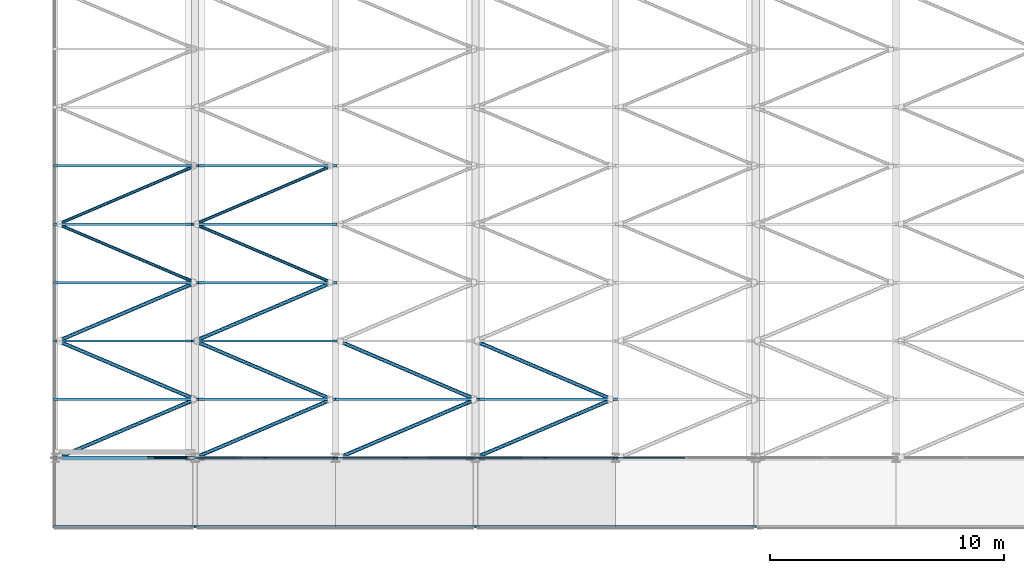
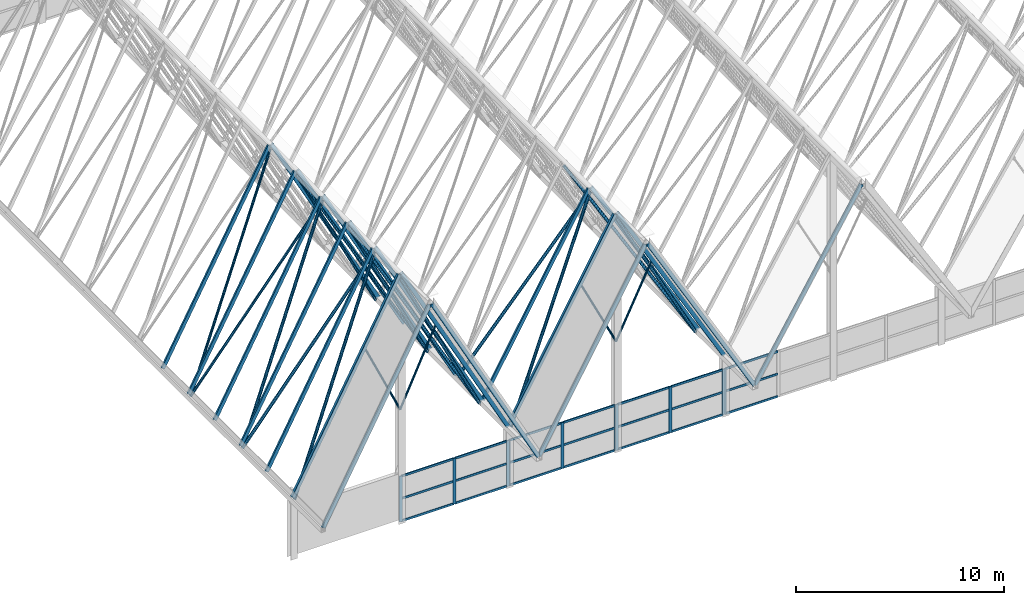
# One storey, part 13 of 483: 61 members, 9 beams, 4 elements without a shape of their own.
"""IFC4 building model written with IfcOpenShell, lengths in metres."""

from ifc_helpers import new_model, si_unit, direction, frame, origin, origin_2d, place, context, subcontext, project, spatial, rectangle, hollow_rectangle, hollow_circle, extrude, material, material_profile, profile_set, type_object, element, aggregate, save


model = new_model("IFC4")

# Units and contexts
model_context = context("Model", 3, precision=1e-05, world=origin(), true_north=direction((0.0, 1.0)))
body_context = subcontext(model_context, "Body", "Model", "MODEL_VIEW")
ifc_project = project(units=[si_unit("LENGTHUNIT", "METRE"), si_unit("AREAUNIT", "SQUARE_METRE"), si_unit("VOLUMEUNIT", "CUBIC_METRE"), si_unit("PLANEANGLEUNIT", "RADIAN"), si_unit("MASSUNIT", "GRAM", prefix="KILO")], contexts=[model_context])

# Site, building, storey
site_placement = place(None, origin())
site = spatial("IfcSite", under=ifc_project, at=site_placement, CompositionType="ELEMENT")
building_placement = place(site_placement, origin())
building = spatial("IfcBuilding", under=site, at=building_placement, Name="Parallax Yard Mobility Hub", CompositionType="ELEMENT")
storey_placement = place(building_placement, frame((0.0, 0.0, 13.199951171875)))
storey = spatial("IfcBuildingStorey", under=building, at=storey_placement, Name="L04", CompositionType="ELEMENT", Elevation=13.199951171875)

# Members
ifc_material_1 = material(Name="Steel ASTM A500 Gr C", Category="steel")
ifc_material_profile_1 = material_profile(ifc_material_1, hollow_circle(Radius=0.05712890625, WallThickness=0.006103515625, at=origin_2d()), Name="HSS114.3x6.0")
ifc_profile_set_1 = profile_set([ifc_material_profile_1], Name="Steel ASTM A500 Gr C")
member_type_1 = type_object("IfcMemberType", Name="Knee brace HSS114.3x6.0", PredefinedType="BRACE", material=ifc_profile_set_1)
for number, where, z_axis, x_axis, name in (
    (1, (15.0, 7.5, 6.60009765625), (-0.41704909063, 0.0, 0.908883961793), (0.0, -1.0, 0.0), "Gable knee brace F2 south west"),
    (2, (15.0, 7.5, 6.60009765625), (0.41704909063, 0.0, 0.908883961793), (0.0, 1.0, 0.0), "Gable knee brace F2 south east"),
):
    element("IfcMember", number, at=place(storey_placement, frame(where, z_axis=z_axis, x_axis=x_axis)), inside=storey, type_object=member_type_1, Name=name, PredefinedType="BRACE", context=body_context, shape_type="SweptSolid", body=[
        extrude(hollow_circle(Radius=0.05712890625, WallThickness=0.006103515625, at=origin_2d()), origin(), (0.0, 0.0, 1.0), 4.795654296875),
    ])
for number, where, z_axis, x_axis, name in (
    (3, (27.0, 7.5, 6.39990234375), (-0.437594130346, 0.0, 0.899172606948), (0.0, -1.0, 0.0), "Gable knee brace F4 south west"),
    (4, (27.0, 7.5, 6.39990234375), (0.437594130346, 0.0, 0.899172606948), (0.0, 1.0, 0.0), "Gable knee brace F4 south east"),
):
    element("IfcMember", number, at=place(storey_placement, frame(where, z_axis=z_axis, x_axis=x_axis)), inside=storey, type_object=member_type_1, Name=name, PredefinedType="BRACE", context=body_context, shape_type="SweptSolid", body=[
        extrude(hollow_circle(Radius=0.05712890625, WallThickness=0.006103515625, at=origin_2d()), origin(), (0.0, 0.0, 1.0), 4.570556640625),
    ])

# Curtain wall, members
ifc_material_2 = material(Name="Thermally broken aluminium curtain wall system", Category="aluminium")
curtain_wall_type = type_object("IfcCurtainWallType", Name="Curtain wall run 60 x 160 frame", PredefinedType="NOTDEFINED", material=ifc_material_2)
curtain_wall_1_placement = place(storey_placement, origin())
curtain_wall_1 = element("IfcCurtainWall", 5, at=curtain_wall_1_placement, inside=storey, type_object=curtain_wall_type, Name="Glazed gable end Bus and taxi deck south gable bay 2 level L04", PredefinedType="NOTDEFINED")
ifc_material_3 = material(Name="Extruded aluminium", Category="aluminium")
ifc_material_profile_2 = material_profile(ifc_material_3, rectangle(XDim=0.06005859375, YDim=0.159912109375, at=origin_2d()), Name="Mullion 60 x 160")
ifc_profile_set_2 = profile_set([ifc_material_profile_2], Name="Extruded aluminium")
member_type_2 = type_object("IfcMemberType", Name="Mullion 60 x 160", PredefinedType="MULLION", material=ifc_profile_set_2)
member_1_placement = place(storey_placement, frame((15.030029296875, 7.5, 0.0), z_axis=(0.0, 0.0, 1.0), x_axis=(0.0, 1.0, 0.0)))
member_1 = element("IfcMember", 6, at=member_1_placement, type_object=member_type_2, Name="CW1 mullion 1", PredefinedType="MULLION", context=body_context, shape_type="SweptSolid", body=[
    extrude(rectangle(XDim=0.06005859375, YDim=0.159912109375, at=origin_2d()), origin(), (0.0, 0.0, 1.0), 2.68994140625),
])
member_2_placement = place(storey_placement, frame((18.0, 7.5, 0.0), z_axis=(0.0, 0.0, 1.0), x_axis=(0.0, 1.0, 0.0)))
member_2 = element("IfcMember", 7, at=member_2_placement, type_object=member_type_2, Name="CW1 mullion 2", PredefinedType="MULLION", context=body_context, shape_type="SweptSolid", body=[
    extrude(rectangle(XDim=0.06005859375, YDim=0.159912109375, at=origin_2d()), origin(), (0.0, 0.0, 1.0), 2.68994140625),
])
member_3_placement = place(storey_placement, frame((20.969970703125, 7.5, 0.0), z_axis=(0.0, 0.0, 1.0), x_axis=(0.0, 1.0, 0.0)))
member_3 = element("IfcMember", 8, at=member_3_placement, type_object=member_type_2, Name="CW1 mullion 3", PredefinedType="MULLION", context=body_context, shape_type="SweptSolid", body=[
    extrude(rectangle(XDim=0.06005859375, YDim=0.159912109375, at=origin_2d()), origin(), (0.0, 0.0, 1.0), 2.68994140625),
])

curtain_wall_2_placement = place(storey_placement, origin())
curtain_wall_2 = element("IfcCurtainWall", 9, at=curtain_wall_2_placement, inside=storey, type_object=curtain_wall_type, Name="Glazed gable end Bus and taxi deck south gable bay 3 level L04", PredefinedType="NOTDEFINED")
member_4_placement = place(storey_placement, frame((21.030029296875, 7.5, 0.0), z_axis=(0.0, 0.0, 1.0), x_axis=(0.0, 1.0, 0.0)))
member_4 = element("IfcMember", 10, at=member_4_placement, type_object=member_type_2, Name="CW1 mullion 1", PredefinedType="MULLION", context=body_context, shape_type="SweptSolid", body=[
    extrude(rectangle(XDim=0.06005859375, YDim=0.159912109375, at=origin_2d()), origin(), (0.0, 0.0, 1.0), 2.68994140625),
])
member_5_placement = place(storey_placement, frame((24.0, 7.5, 0.0), z_axis=(0.0, 0.0, 1.0), x_axis=(0.0, 1.0, 0.0)))
member_5 = element("IfcMember", 11, at=member_5_placement, type_object=member_type_2, Name="CW1 mullion 2", PredefinedType="MULLION", context=body_context, shape_type="SweptSolid", body=[
    extrude(rectangle(XDim=0.06005859375, YDim=0.159912109375, at=origin_2d()), origin(), (0.0, 0.0, 1.0), 2.68994140625),
])
member_6_placement = place(storey_placement, frame((26.969970703125, 7.5, 0.0), z_axis=(0.0, 0.0, 1.0), x_axis=(0.0, 1.0, 0.0)))
member_6 = element("IfcMember", 12, at=member_6_placement, type_object=member_type_2, Name="CW1 mullion 3", PredefinedType="MULLION", context=body_context, shape_type="SweptSolid", body=[
    extrude(rectangle(XDim=0.06005859375, YDim=0.159912109375, at=origin_2d()), origin(), (0.0, 0.0, 1.0), 2.68994140625),
])

curtain_wall_3_placement = place(storey_placement, origin())
curtain_wall_3 = element("IfcCurtainWall", 13, at=curtain_wall_3_placement, inside=storey, type_object=curtain_wall_type, Name="Glazed gable end Bus and taxi deck south gable bay 4 level L04", PredefinedType="NOTDEFINED")
member_7_placement = place(storey_placement, frame((27.030029296875, 7.5, 0.0), z_axis=(0.0, 0.0, 1.0), x_axis=(0.0, 1.0, 0.0)))
member_7 = element("IfcMember", 14, at=member_7_placement, type_object=member_type_2, Name="CW1 mullion 1", PredefinedType="MULLION", context=body_context, shape_type="SweptSolid", body=[
    extrude(rectangle(XDim=0.06005859375, YDim=0.159912109375, at=origin_2d()), origin(), (0.0, 0.0, 1.0), 2.68994140625),
])
member_8_placement = place(storey_placement, frame((30.0, 7.5, 0.0), z_axis=(0.0, 0.0, 1.0), x_axis=(0.0, 1.0, 0.0)))
member_8 = element("IfcMember", 15, at=member_8_placement, type_object=member_type_2, Name="CW1 mullion 2", PredefinedType="MULLION", context=body_context, shape_type="SweptSolid", body=[
    extrude(rectangle(XDim=0.06005859375, YDim=0.159912109375, at=origin_2d()), origin(), (0.0, 0.0, 1.0), 2.68994140625),
])
member_9_placement = place(storey_placement, frame((32.969970703125, 7.5, 0.0), z_axis=(0.0, 0.0, 1.0), x_axis=(0.0, 1.0, 0.0)))
member_9 = element("IfcMember", 16, at=member_9_placement, type_object=member_type_2, Name="CW1 mullion 3", PredefinedType="MULLION", context=body_context, shape_type="SweptSolid", body=[
    extrude(rectangle(XDim=0.06005859375, YDim=0.159912109375, at=origin_2d()), origin(), (0.0, 0.0, 1.0), 2.68994140625),
])

# Curtain wall, member
curtain_wall_4_placement = place(storey_placement, origin())
curtain_wall_4 = element("IfcCurtainWall", 17, at=curtain_wall_4_placement, inside=storey, type_object=curtain_wall_type, Name="Glazed gable end Bus and taxi deck south gable bay 5 level L04", PredefinedType="NOTDEFINED")
member_10_placement = place(storey_placement, frame((33.030029296875, 7.5, 0.0), z_axis=(0.0, 0.0, 1.0), x_axis=(0.0, 1.0, 0.0)))
member_10 = element("IfcMember", 18, at=member_10_placement, type_object=member_type_2, Name="CW1 mullion 1", PredefinedType="MULLION", context=body_context, shape_type="SweptSolid", body=[
    extrude(rectangle(XDim=0.06005859375, YDim=0.159912109375, at=origin_2d()), origin(), (0.0, 0.0, 1.0), 2.68994140625),
])

# Members
ifc_material_profile_3 = material_profile(ifc_material_1, hollow_circle(Radius=0.06982421875, WallThickness=0.00634765625, at=origin_2d()), Name="HSS139.7x6.4")
ifc_profile_set_3 = profile_set([ifc_material_profile_3], Name="Steel ASTM A500 Gr C")
member_type_3 = type_object("IfcMemberType", Name="Plate diagonal HSS139.7x6.4", PredefinedType="BRACE", material=ifc_profile_set_3)
member_11_placement = place(storey_placement, frame((15.0, 15.0, 14.328857421875), z_axis=(-0.462980370369, 0.19707844166, -0.864181268303), x_axis=(-0.391665406317, -0.920107716246, 0.0)))
element("IfcMember", 19, at=member_11_placement, inside=storey, type_object=member_type_3, Name="Plate diagonal plate F1-F2 bay 4", PredefinedType="BRACE", context=body_context, shape_type="SweptSolid", body=[
    extrude(hollow_circle(Radius=0.06982421875, WallThickness=0.00634765625, at=origin_2d()), origin(), (0.0, 0.0, 1.0), 12.685302734375),
])
member_12_placement = place(storey_placement, frame((20.84765625, 15.0, 3.413818359375), z_axis=(-0.462901196047, 0.197900310935, 0.864035849736), x_axis=(-0.393103707527, -0.919494140888, 0.0)))
element("IfcMember", 20, at=member_12_placement, inside=storey, type_object=member_type_3, Name="Plate diagonal plate F2-F3 bay 4", PredefinedType="BRACE", context=body_context, shape_type="SweptSolid", body=[
    extrude(hollow_circle(Radius=0.06982421875, WallThickness=0.00634765625, at=origin_2d()), origin(), (0.0, 0.0, 1.0), 12.632568359375),
])
member_13_placement = place(storey_placement, frame((9.126953125, 17.5, 3.366455078125), z_axis=(0.462980370369, 0.19707844166, 0.864181268303), x_axis=(-0.391665406317, 0.920107716246, 0.0)))
element("IfcMember", 21, at=member_13_placement, inside=storey, type_object=member_type_3, Name="Plate diagonal plate F1-F2 bay 5", PredefinedType="BRACE", context=body_context, shape_type="SweptSolid", body=[
    extrude(hollow_circle(Radius=0.06982421875, WallThickness=0.00634765625, at=origin_2d()), origin(), (0.0, 0.0, 1.0), 12.685302734375),
])
member_14_placement = place(storey_placement, frame((15.0, 17.5, 14.328857421875), z_axis=(0.462901196047, 0.197900310935, -0.864035849736), x_axis=(-0.393103707527, 0.919494140888, 0.0)))
element("IfcMember", 22, at=member_14_placement, inside=storey, type_object=member_type_3, Name="Plate diagonal plate F2-F3 bay 5", PredefinedType="BRACE", context=body_context, shape_type="SweptSolid", body=[
    extrude(hollow_circle(Radius=0.06982421875, WallThickness=0.00634765625, at=origin_2d()), origin(), (0.0, 0.0, 1.0), 12.632568359375),
])
ifc_material_profile_4 = material_profile(ifc_material_1, hollow_circle(Radius=0.084228515625, WallThickness=0.007080078125, at=origin_2d()), Name="HSS168.3x7.1")
ifc_profile_set_4 = profile_set([ifc_material_profile_4], Name="Steel ASTM A500 Gr C")
member_type_4 = type_object("IfcMemberType", Name="Plate diagonal HSS168.3x7.1", PredefinedType="BRACE", material=ifc_profile_set_4)
member_15_placement = place(storey_placement, frame((27.0, 7.5, 13.671630859375), z_axis=(0.484498667157, 0.207133698718, -0.849915685452), x_axis=(-0.393103707527, 0.919494140888, 0.0)))
element("IfcMember", 23, at=member_15_placement, inside=storey, type_object=member_type_4, Name="Plate diagonal plate F4-F5 bay 1", PredefinedType="BRACE", context=body_context, shape_type="SweptSolid", body=[
    extrude(hollow_circle(Radius=0.084228515625, WallThickness=0.007080078125, at=origin_2d()), origin(), (0.0, 0.0, 1.0), 12.069580078125),
])
member_16_placement = place(storey_placement, frame((9.126953125, 7.5, 3.366455078125), z_axis=(0.462980370369, 0.19707844166, 0.864181268303), x_axis=(-0.391665406317, 0.920107716246, 0.0)))
element("IfcMember", 24, at=member_16_placement, inside=storey, type_object=member_type_4, Name="Plate diagonal plate F1-F2 bay 1", PredefinedType="BRACE", context=body_context, shape_type="SweptSolid", body=[
    extrude(hollow_circle(Radius=0.084228515625, WallThickness=0.007080078125, at=origin_2d()), origin(), (0.0, 0.0, 1.0), 12.685302734375),
])
member_17_placement = place(storey_placement, frame((15.0, 7.5, 14.328857421875), z_axis=(0.462901196047, 0.197900310935, -0.864035849736), x_axis=(-0.393103707527, 0.919494140888, 0.0)))
element("IfcMember", 25, at=member_17_placement, inside=storey, type_object=member_type_4, Name="Plate diagonal plate F2-F3 bay 1", PredefinedType="BRACE", context=body_context, shape_type="SweptSolid", body=[
    extrude(hollow_circle(Radius=0.084228515625, WallThickness=0.007080078125, at=origin_2d()), origin(), (0.0, 0.0, 1.0), 12.632568359375),
])
for number, where, z_axis, x_axis, name in (
    (26, (21.15234375, 7.5, 3.41357421875), (0.484498667157, 0.207133698718, 0.849915685452), (-0.393103707527, 0.919494140888, 0.0), "Plate diagonal plate F3-F4 bay 1"),
    (27, (32.84765625, 10.0, 3.41357421875), (-0.484498667157, 0.207133698718, 0.849915685452), (-0.393103707527, -0.919494140888, 0.0), "Plate diagonal plate F4-F5 bay 2"),
):
    element("IfcMember", number, at=place(storey_placement, frame(where, z_axis=z_axis, x_axis=x_axis)), inside=storey, type_object=member_type_4, Name=name, PredefinedType="BRACE", context=body_context, shape_type="SweptSolid", body=[
        extrude(hollow_circle(Radius=0.084228515625, WallThickness=0.007080078125, at=origin_2d()), origin(), (0.0, 0.0, 1.0), 12.069580078125),
    ])
member_18_placement = place(storey_placement, frame((15.0, 10.0, 14.328857421875), z_axis=(-0.462980370369, 0.19707844166, -0.864181268303), x_axis=(-0.391665406317, -0.920107716246, 0.0)))
element("IfcMember", 28, at=member_18_placement, inside=storey, type_object=member_type_4, Name="Plate diagonal plate F1-F2 bay 2", PredefinedType="BRACE", context=body_context, shape_type="SweptSolid", body=[
    extrude(hollow_circle(Radius=0.084228515625, WallThickness=0.007080078125, at=origin_2d()), origin(), (0.0, 0.0, 1.0), 12.685302734375),
])
member_19_placement = place(storey_placement, frame((20.84765625, 10.0, 3.413818359375), z_axis=(-0.462901196047, 0.197900310935, 0.864035849736), x_axis=(-0.393103707527, -0.919494140888, 0.0)))
element("IfcMember", 29, at=member_19_placement, inside=storey, type_object=member_type_4, Name="Plate diagonal plate F2-F3 bay 2", PredefinedType="BRACE", context=body_context, shape_type="SweptSolid", body=[
    extrude(hollow_circle(Radius=0.084228515625, WallThickness=0.007080078125, at=origin_2d()), origin(), (0.0, 0.0, 1.0), 12.632568359375),
])
member_20_placement = place(storey_placement, frame((27.0, 10.0, 13.671630859375), z_axis=(-0.484498667157, 0.207133698718, -0.849915685452), x_axis=(-0.393103707527, -0.919494140888, 0.0)))
element("IfcMember", 30, at=member_20_placement, inside=storey, type_object=member_type_4, Name="Plate diagonal plate F3-F4 bay 2", PredefinedType="BRACE", context=body_context, shape_type="SweptSolid", body=[
    extrude(hollow_circle(Radius=0.084228515625, WallThickness=0.007080078125, at=origin_2d()), origin(), (0.0, 0.0, 1.0), 12.069580078125),
])
member_21_placement = place(storey_placement, frame((9.126953125, 12.5, 3.366455078125), z_axis=(0.462980370369, 0.19707844166, 0.864181268303), x_axis=(-0.391665406317, 0.920107716246, 0.0)))
element("IfcMember", 31, at=member_21_placement, inside=storey, type_object=member_type_4, Name="Plate diagonal plate F1-F2 bay 3", PredefinedType="BRACE", context=body_context, shape_type="SweptSolid", body=[
    extrude(hollow_circle(Radius=0.084228515625, WallThickness=0.007080078125, at=origin_2d()), origin(), (0.0, 0.0, 1.0), 12.685302734375),
])
member_22_placement = place(storey_placement, frame((15.0, 12.5, 14.328857421875), z_axis=(0.462901196047, 0.197900310935, -0.864035849736), x_axis=(-0.393103707527, 0.919494140888, 0.0)))
element("IfcMember", 32, at=member_22_placement, inside=storey, type_object=member_type_4, Name="Plate diagonal plate F2-F3 bay 3", PredefinedType="BRACE", context=body_context, shape_type="SweptSolid", body=[
    extrude(hollow_circle(Radius=0.084228515625, WallThickness=0.007080078125, at=origin_2d()), origin(), (0.0, 0.0, 1.0), 12.632568359375),
])

# Beams
ifc_material_profile_5 = material_profile(ifc_material_1, hollow_rectangle(XDim=0.1015625, YDim=0.203125, WallThickness=0.00634765625, at=origin_2d()), Name="HSS203x102x6.4")
ifc_profile_set_5 = profile_set([ifc_material_profile_5], Name="Steel ASTM A500 Gr C")
beam_type_1 = type_object("IfcBeamType", Name="Roof edge beam HSS203x102x6.4", PredefinedType="SPANDREL", material=ifc_profile_set_5)
beam_1_placement = place(storey_placement, frame((27.064208984375, 4.56005859375, 13.905517578125), z_axis=(0.495218927733, 0.0, -0.868768216278), x_axis=(0.0, 1.0, 0.0)))
element("IfcBeam", 33, at=beam_1_placement, inside=storey, type_object=beam_type_1, Name="Edge beam plate F4-F5 south eave", PredefinedType="SPANDREL", context=body_context, shape_type="SweptSolid", body=[
    extrude(hollow_rectangle(XDim=0.1015625, YDim=0.203125, WallThickness=0.00634765625, at=origin_2d()), origin(), (0.0, 0.0, 1.0), 11.94921875),
])
beam_2_placement = place(storey_placement, frame((33.016845703125, 4.56005859375, 3.52001953125), z_axis=(0.520123935721, 0.0, 0.854090798153), x_axis=(0.0, 1.0, 0.0)))
element("IfcBeam", 34, at=beam_2_placement, inside=storey, type_object=beam_type_1, Name="Edge beam plate F5-F6 south eave", PredefinedType="SPANDREL", context=body_context, shape_type="SweptSolid", body=[
    extrude(hollow_rectangle(XDim=0.1015625, YDim=0.203125, WallThickness=0.00634765625, at=origin_2d()), origin(), (0.0, 0.0, 1.0), 11.376953125),
])
for number, where, z_axis, x_axis, name in (
    (35, (9.01953125, 4.56005859375, 3.529052734375), (0.472246823162, 0.0, 0.881466356711), (0.0, 1.0, 0.0), "Edge beam plate F1-F2 south eave"),
    (36, (15.062744140625, 4.56005859375, 14.57470703125), (0.472246823162, 0.0, -0.881466356711), (0.0, 1.0, 0.0), "Edge beam plate F2-F3 south eave"),
):
    element("IfcBeam", number, at=place(storey_placement, frame(where, z_axis=z_axis, x_axis=x_axis)), inside=storey, type_object=beam_type_1, Name=name, PredefinedType="SPANDREL", context=body_context, shape_type="SweptSolid", body=[
        extrude(hollow_rectangle(XDim=0.1015625, YDim=0.203125, WallThickness=0.00634765625, at=origin_2d()), origin(), (0.0, 0.0, 1.0), 12.531005859375),
    ])
beam_3_placement = place(storey_placement, frame((21.018310546875, 4.56005859375, 3.5244140625), z_axis=(0.495218927733, 0.0, 0.868768216278), x_axis=(0.0, 1.0, 0.0)))
element("IfcBeam", 37, at=beam_3_placement, inside=storey, type_object=beam_type_1, Name="Edge beam plate F3-F4 south eave", PredefinedType="SPANDREL", context=body_context, shape_type="SweptSolid", body=[
    extrude(hollow_rectangle(XDim=0.1015625, YDim=0.203125, WallThickness=0.00634765625, at=origin_2d()), origin(), (0.0, 0.0, 1.0), 11.94921875),
])
ifc_material_profile_6 = material_profile(ifc_material_1, hollow_rectangle(XDim=0.15234375, YDim=0.203125, WallThickness=0.009521484375, at=origin_2d()), Name="HSS203x152x9.5")
ifc_profile_set_6 = profile_set([ifc_material_profile_6], Name="Steel ASTM A500 Gr C")
beam_type_2 = type_object("IfcBeamType", Name="Roof edge beam HSS203x152x9.5", PredefinedType="SPANDREL", material=ifc_profile_set_6)
beam_4_placement = place(storey_placement, frame((27.064208984375, 7.5, 13.905517578125), z_axis=(0.495218927733, 0.0, -0.868768216278), x_axis=(0.0, 1.0, 0.0)))
element("IfcBeam", 38, at=beam_4_placement, inside=storey, type_object=beam_type_2, Name="Edge beam plate F4-F5 south gable", PredefinedType="SPANDREL", context=body_context, shape_type="SweptSolid", body=[
    extrude(hollow_rectangle(XDim=0.15234375, YDim=0.203125, WallThickness=0.009521484375, at=origin_2d()), origin(), (0.0, 0.0, 1.0), 11.94921875),
])
for number, where, z_axis, x_axis, name in (
    (39, (9.01953125, 7.5, 3.529052734375), (0.472246823162, 0.0, 0.881466356711), (0.0, 1.0, 0.0), "Edge beam plate F1-F2 south gable"),
    (40, (15.062744140625, 7.5, 14.57470703125), (0.472246823162, 0.0, -0.881466356711), (0.0, 1.0, 0.0), "Edge beam plate F2-F3 south gable"),
):
    element("IfcBeam", number, at=place(storey_placement, frame(where, z_axis=z_axis, x_axis=x_axis)), inside=storey, type_object=beam_type_2, Name=name, PredefinedType="SPANDREL", context=body_context, shape_type="SweptSolid", body=[
        extrude(hollow_rectangle(XDim=0.15234375, YDim=0.203125, WallThickness=0.009521484375, at=origin_2d()), origin(), (0.0, 0.0, 1.0), 12.531005859375),
    ])
beam_5_placement = place(storey_placement, frame((21.018310546875, 7.5, 3.5244140625), z_axis=(0.495218927733, 0.0, 0.868768216278), x_axis=(0.0, 1.0, 0.0)))
element("IfcBeam", 41, at=beam_5_placement, inside=storey, type_object=beam_type_2, Name="Edge beam plate F3-F4 south gable", PredefinedType="SPANDREL", context=body_context, shape_type="SweptSolid", body=[
    extrude(hollow_rectangle(XDim=0.15234375, YDim=0.203125, WallThickness=0.009521484375, at=origin_2d()), origin(), (0.0, 0.0, 1.0), 11.94921875),
])

# Members
ifc_material_profile_7 = material_profile(ifc_material_1, hollow_rectangle(XDim=0.1015625, YDim=0.203125, WallThickness=0.00634765625, at=origin_2d()), Name="HSS203x102x6.4")
ifc_profile_set_7 = profile_set([ifc_material_profile_7], Name="Steel ASTM A500 Gr C")
member_type_5 = type_object("IfcMemberType", Name="Roof rafter HSS203x102x6.4", PredefinedType="RAFTER", material=ifc_profile_set_7)
for number, where, z_axis, x_axis, name in (
    (42, (9.01953125, 10.0, 3.529052734375), (0.472246823162, 0.0, 0.881466356711), (0.0, 1.0, 0.0), "Roof rafter plate F1-F2 at y 10"),
    (43, (15.062744140625, 10.0, 14.57470703125), (0.472246823162, 0.0, -0.881466356711), (0.0, 1.0, 0.0), "Roof rafter plate F2-F3 at y 10"),
):
    element("IfcMember", number, at=place(storey_placement, frame(where, z_axis=z_axis, x_axis=x_axis)), inside=storey, type_object=member_type_5, Name=name, PredefinedType="RAFTER", context=body_context, shape_type="SweptSolid", body=[
        extrude(hollow_rectangle(XDim=0.1015625, YDim=0.203125, WallThickness=0.00634765625, at=origin_2d()), origin(), (0.0, 0.0, 1.0), 12.531005859375),
    ])
for number, where, z_axis, x_axis, name in (
    (44, (21.018310546875, 10.0, 3.5244140625), (0.495218927733, 0.0, 0.868768216278), (0.0, 1.0, 0.0), "Roof rafter plate F3-F4 at y 10"),
    (45, (27.064208984375, 10.0, 13.905517578125), (0.495218927733, 0.0, -0.868768216278), (0.0, 1.0, 0.0), "Roof rafter plate F4-F5 at y 10"),
):
    element("IfcMember", number, at=place(storey_placement, frame(where, z_axis=z_axis, x_axis=x_axis)), inside=storey, type_object=member_type_5, Name=name, PredefinedType="RAFTER", context=body_context, shape_type="SweptSolid", body=[
        extrude(hollow_rectangle(XDim=0.1015625, YDim=0.203125, WallThickness=0.00634765625, at=origin_2d()), origin(), (0.0, 0.0, 1.0), 11.94921875),
    ])
for number, where, z_axis, x_axis, name in (
    (46, (9.01953125, 12.5, 3.529052734375), (0.472246823162, 0.0, 0.881466356711), (0.0, 1.0, 0.0), "Roof rafter plate F1-F2 at y 12.5"),
    (47, (15.062744140625, 12.5, 14.57470703125), (0.472246823162, 0.0, -0.881466356711), (0.0, 1.0, 0.0), "Roof rafter plate F2-F3 at y 12.5"),
    (48, (9.01953125, 15.0, 3.529052734375), (0.472246823162, 0.0, 0.881466356711), (0.0, 1.0, 0.0), "Roof rafter plate F1-F2 at y 15"),
    (49, (15.062744140625, 15.0, 14.57470703125), (0.472246823162, 0.0, -0.881466356711), (0.0, 1.0, 0.0), "Roof rafter plate F2-F3 at y 15"),
    (50, (9.01953125, 17.5, 3.529052734375), (0.472246823162, 0.0, 0.881466356711), (0.0, 1.0, 0.0), "Roof rafter plate F1-F2 at y 17.5"),
    (51, (15.062744140625, 17.5, 14.57470703125), (0.472246823162, 0.0, -0.881466356711), (0.0, 1.0, 0.0), "Roof rafter plate F2-F3 at y 17.5"),
    (52, (9.01953125, 20.0, 3.529052734375), (0.472246823162, 0.0, 0.881466356711), (0.0, 1.0, 0.0), "Roof rafter plate F1-F2 at y 20"),
    (53, (15.062744140625, 20.0, 14.57470703125), (0.472246823162, 0.0, -0.881466356711), (0.0, 1.0, 0.0), "Roof rafter plate F2-F3 at y 20"),
):
    element("IfcMember", number, at=place(storey_placement, frame(where, z_axis=z_axis, x_axis=x_axis)), inside=storey, type_object=member_type_5, Name=name, PredefinedType="RAFTER", context=body_context, shape_type="SweptSolid", body=[
        extrude(hollow_rectangle(XDim=0.1015625, YDim=0.203125, WallThickness=0.00634765625, at=origin_2d()), origin(), (0.0, 0.0, 1.0), 12.531005859375),
    ])

# Member
ifc_material_profile_8 = material_profile(ifc_material_3, rectangle(XDim=0.06005859375, YDim=0.1201171875, at=origin_2d()), Name="Transom 60 x 120")
ifc_profile_set_8 = profile_set([ifc_material_profile_8], Name="Extruded aluminium")
member_type_6 = type_object("IfcMemberType", Name="Transom 60 x 120", PredefinedType="USERDEFINED", material=ifc_profile_set_8)
member_23_placement = place(storey_placement, frame((15.06005859375, 7.5, 0.030029296875), z_axis=(1.0, 0.0, 0.0), x_axis=(0.0, 1.0, 0.0)))
member_23 = element("IfcMember", 54, at=member_23_placement, type_object=member_type_6, Name="CW1 transom 1.1", ObjectType="TRANSOM", PredefinedType="USERDEFINED", context=body_context, shape_type="SweptSolid", body=[
    extrude(rectangle(XDim=0.06005859375, YDim=0.1201171875, at=origin_2d()), origin(), (0.0, 0.0, 1.0), 2.909912109375),
])

member_24_placement = place(storey_placement, frame((15.06005859375, 7.5, 1.344970703125), z_axis=(1.0, 0.0, 0.0), x_axis=(0.0, 1.0, 0.0)))
member_24 = element("IfcMember", 55, at=member_24_placement, type_object=member_type_6, Name="CW1 transom 1.2", ObjectType="TRANSOM", PredefinedType="USERDEFINED", context=body_context, shape_type="SweptSolid", body=[
    extrude(rectangle(XDim=0.06005859375, YDim=0.1201171875, at=origin_2d()), origin(), (0.0, 0.0, 1.0), 2.909912109375),
])

member_25_placement = place(storey_placement, frame((15.06005859375, 7.5, 2.66015625), z_axis=(1.0, 0.0, 0.0), x_axis=(0.0, 1.0, 0.0)))
member_25 = element("IfcMember", 56, at=member_25_placement, type_object=member_type_6, Name="CW1 transom 1.3", ObjectType="TRANSOM", PredefinedType="USERDEFINED", context=body_context, shape_type="SweptSolid", body=[
    extrude(rectangle(XDim=0.06005859375, YDim=0.1201171875, at=origin_2d()), origin(), (0.0, 0.0, 1.0), 2.909912109375),
])

member_26_placement = place(storey_placement, frame((18.030029296875, 7.5, 0.030029296875), z_axis=(1.0, 0.0, 0.0), x_axis=(0.0, 1.0, 0.0)))
member_26 = element("IfcMember", 57, at=member_26_placement, type_object=member_type_6, Name="CW1 transom 2.1", ObjectType="TRANSOM", PredefinedType="USERDEFINED", context=body_context, shape_type="SweptSolid", body=[
    extrude(rectangle(XDim=0.06005859375, YDim=0.1201171875, at=origin_2d()), origin(), (0.0, 0.0, 1.0), 2.909912109375),
])

member_27_placement = place(storey_placement, frame((18.030029296875, 7.5, 1.344970703125), z_axis=(1.0, 0.0, 0.0), x_axis=(0.0, 1.0, 0.0)))
member_27 = element("IfcMember", 58, at=member_27_placement, type_object=member_type_6, Name="CW1 transom 2.2", ObjectType="TRANSOM", PredefinedType="USERDEFINED", context=body_context, shape_type="SweptSolid", body=[
    extrude(rectangle(XDim=0.06005859375, YDim=0.1201171875, at=origin_2d()), origin(), (0.0, 0.0, 1.0), 2.909912109375),
])

member_28_placement = place(storey_placement, frame((18.030029296875, 7.5, 2.66015625), z_axis=(1.0, 0.0, 0.0), x_axis=(0.0, 1.0, 0.0)))
member_28 = element("IfcMember", 59, at=member_28_placement, type_object=member_type_6, Name="CW1 transom 2.3", ObjectType="TRANSOM", PredefinedType="USERDEFINED", context=body_context, shape_type="SweptSolid", body=[
    extrude(rectangle(XDim=0.06005859375, YDim=0.1201171875, at=origin_2d()), origin(), (0.0, 0.0, 1.0), 2.909912109375),
])

aggregate(curtain_wall_1, [member_1, member_2, member_3, member_23, member_24, member_25, member_26, member_27, member_28])

member_29_placement = place(storey_placement, frame((21.06005859375, 7.5, 0.030029296875), z_axis=(1.0, 0.0, 0.0), x_axis=(0.0, 1.0, 0.0)))
member_29 = element("IfcMember", 60, at=member_29_placement, type_object=member_type_6, Name="CW1 transom 1.1", ObjectType="TRANSOM", PredefinedType="USERDEFINED", context=body_context, shape_type="SweptSolid", body=[
    extrude(rectangle(XDim=0.06005859375, YDim=0.1201171875, at=origin_2d()), origin(), (0.0, 0.0, 1.0), 2.909912109375),
])

member_30_placement = place(storey_placement, frame((21.06005859375, 7.5, 1.344970703125), z_axis=(1.0, 0.0, 0.0), x_axis=(0.0, 1.0, 0.0)))
member_30 = element("IfcMember", 61, at=member_30_placement, type_object=member_type_6, Name="CW1 transom 1.2", ObjectType="TRANSOM", PredefinedType="USERDEFINED", context=body_context, shape_type="SweptSolid", body=[
    extrude(rectangle(XDim=0.06005859375, YDim=0.1201171875, at=origin_2d()), origin(), (0.0, 0.0, 1.0), 2.909912109375),
])

member_31_placement = place(storey_placement, frame((21.06005859375, 7.5, 2.66015625), z_axis=(1.0, 0.0, 0.0), x_axis=(0.0, 1.0, 0.0)))
member_31 = element("IfcMember", 62, at=member_31_placement, type_object=member_type_6, Name="CW1 transom 1.3", ObjectType="TRANSOM", PredefinedType="USERDEFINED", context=body_context, shape_type="SweptSolid", body=[
    extrude(rectangle(XDim=0.06005859375, YDim=0.1201171875, at=origin_2d()), origin(), (0.0, 0.0, 1.0), 2.909912109375),
])

member_32_placement = place(storey_placement, frame((24.030029296875, 7.5, 0.030029296875), z_axis=(1.0, 0.0, 0.0), x_axis=(0.0, 1.0, 0.0)))
member_32 = element("IfcMember", 63, at=member_32_placement, type_object=member_type_6, Name="CW1 transom 2.1", ObjectType="TRANSOM", PredefinedType="USERDEFINED", context=body_context, shape_type="SweptSolid", body=[
    extrude(rectangle(XDim=0.06005859375, YDim=0.1201171875, at=origin_2d()), origin(), (0.0, 0.0, 1.0), 2.909912109375),
])

member_33_placement = place(storey_placement, frame((24.030029296875, 7.5, 1.344970703125), z_axis=(1.0, 0.0, 0.0), x_axis=(0.0, 1.0, 0.0)))
member_33 = element("IfcMember", 64, at=member_33_placement, type_object=member_type_6, Name="CW1 transom 2.2", ObjectType="TRANSOM", PredefinedType="USERDEFINED", context=body_context, shape_type="SweptSolid", body=[
    extrude(rectangle(XDim=0.06005859375, YDim=0.1201171875, at=origin_2d()), origin(), (0.0, 0.0, 1.0), 2.909912109375),
])

member_34_placement = place(storey_placement, frame((24.030029296875, 7.5, 2.66015625), z_axis=(1.0, 0.0, 0.0), x_axis=(0.0, 1.0, 0.0)))
member_34 = element("IfcMember", 65, at=member_34_placement, type_object=member_type_6, Name="CW1 transom 2.3", ObjectType="TRANSOM", PredefinedType="USERDEFINED", context=body_context, shape_type="SweptSolid", body=[
    extrude(rectangle(XDim=0.06005859375, YDim=0.1201171875, at=origin_2d()), origin(), (0.0, 0.0, 1.0), 2.909912109375),
])

aggregate(curtain_wall_2, [member_4, member_5, member_6, member_29, member_30, member_31, member_32, member_33, member_34])

member_35_placement = place(storey_placement, frame((27.06005859375, 7.5, 0.030029296875), z_axis=(1.0, 0.0, 0.0), x_axis=(0.0, 1.0, 0.0)))
member_35 = element("IfcMember", 66, at=member_35_placement, type_object=member_type_6, Name="CW1 transom 1.1", ObjectType="TRANSOM", PredefinedType="USERDEFINED", context=body_context, shape_type="SweptSolid", body=[
    extrude(rectangle(XDim=0.06005859375, YDim=0.1201171875, at=origin_2d()), origin(), (0.0, 0.0, 1.0), 2.909912109375),
])

member_36_placement = place(storey_placement, frame((27.06005859375, 7.5, 1.344970703125), z_axis=(1.0, 0.0, 0.0), x_axis=(0.0, 1.0, 0.0)))
member_36 = element("IfcMember", 67, at=member_36_placement, type_object=member_type_6, Name="CW1 transom 1.2", ObjectType="TRANSOM", PredefinedType="USERDEFINED", context=body_context, shape_type="SweptSolid", body=[
    extrude(rectangle(XDim=0.06005859375, YDim=0.1201171875, at=origin_2d()), origin(), (0.0, 0.0, 1.0), 2.909912109375),
])

member_37_placement = place(storey_placement, frame((27.06005859375, 7.5, 2.66015625), z_axis=(1.0, 0.0, 0.0), x_axis=(0.0, 1.0, 0.0)))
member_37 = element("IfcMember", 68, at=member_37_placement, type_object=member_type_6, Name="CW1 transom 1.3", ObjectType="TRANSOM", PredefinedType="USERDEFINED", context=body_context, shape_type="SweptSolid", body=[
    extrude(rectangle(XDim=0.06005859375, YDim=0.1201171875, at=origin_2d()), origin(), (0.0, 0.0, 1.0), 2.909912109375),
])

member_38_placement = place(storey_placement, frame((30.030029296875, 7.5, 0.030029296875), z_axis=(1.0, 0.0, 0.0), x_axis=(0.0, 1.0, 0.0)))
member_38 = element("IfcMember", 69, at=member_38_placement, type_object=member_type_6, Name="CW1 transom 2.1", ObjectType="TRANSOM", PredefinedType="USERDEFINED", context=body_context, shape_type="SweptSolid", body=[
    extrude(rectangle(XDim=0.06005859375, YDim=0.1201171875, at=origin_2d()), origin(), (0.0, 0.0, 1.0), 2.909912109375),
])

member_39_placement = place(storey_placement, frame((30.030029296875, 7.5, 1.344970703125), z_axis=(1.0, 0.0, 0.0), x_axis=(0.0, 1.0, 0.0)))
member_39 = element("IfcMember", 70, at=member_39_placement, type_object=member_type_6, Name="CW1 transom 2.2", ObjectType="TRANSOM", PredefinedType="USERDEFINED", context=body_context, shape_type="SweptSolid", body=[
    extrude(rectangle(XDim=0.06005859375, YDim=0.1201171875, at=origin_2d()), origin(), (0.0, 0.0, 1.0), 2.909912109375),
])

member_40_placement = place(storey_placement, frame((30.030029296875, 7.5, 2.66015625), z_axis=(1.0, 0.0, 0.0), x_axis=(0.0, 1.0, 0.0)))
member_40 = element("IfcMember", 71, at=member_40_placement, type_object=member_type_6, Name="CW1 transom 2.3", ObjectType="TRANSOM", PredefinedType="USERDEFINED", context=body_context, shape_type="SweptSolid", body=[
    extrude(rectangle(XDim=0.06005859375, YDim=0.1201171875, at=origin_2d()), origin(), (0.0, 0.0, 1.0), 2.909912109375),
])

aggregate(curtain_wall_3, [member_7, member_8, member_9, member_35, member_36, member_37, member_38, member_39, member_40])

member_41_placement = place(storey_placement, frame((33.06005859375, 7.5, 0.030029296875), z_axis=(1.0, 0.0, 0.0), x_axis=(0.0, 1.0, 0.0)))
member_41 = element("IfcMember", 72, at=member_41_placement, type_object=member_type_6, Name="CW1 transom 1.1", ObjectType="TRANSOM", PredefinedType="USERDEFINED", context=body_context, shape_type="SweptSolid", body=[
    extrude(rectangle(XDim=0.06005859375, YDim=0.1201171875, at=origin_2d()), origin(), (0.0, 0.0, 1.0), 2.909912109375),
])

member_42_placement = place(storey_placement, frame((33.06005859375, 7.5, 1.344970703125), z_axis=(1.0, 0.0, 0.0), x_axis=(0.0, 1.0, 0.0)))
member_42 = element("IfcMember", 73, at=member_42_placement, type_object=member_type_6, Name="CW1 transom 1.2", ObjectType="TRANSOM", PredefinedType="USERDEFINED", context=body_context, shape_type="SweptSolid", body=[
    extrude(rectangle(XDim=0.06005859375, YDim=0.1201171875, at=origin_2d()), origin(), (0.0, 0.0, 1.0), 2.909912109375),
])

member_43_placement = place(storey_placement, frame((33.06005859375, 7.5, 2.66015625), z_axis=(1.0, 0.0, 0.0), x_axis=(0.0, 1.0, 0.0)))
member_43 = element("IfcMember", 74, at=member_43_placement, type_object=member_type_6, Name="CW1 transom 1.3", ObjectType="TRANSOM", PredefinedType="USERDEFINED", context=body_context, shape_type="SweptSolid", body=[
    extrude(rectangle(XDim=0.06005859375, YDim=0.1201171875, at=origin_2d()), origin(), (0.0, 0.0, 1.0), 2.909912109375),
])

aggregate(curtain_wall_4, [member_10, member_41, member_42, member_43])

save(model, "model.ifc")
